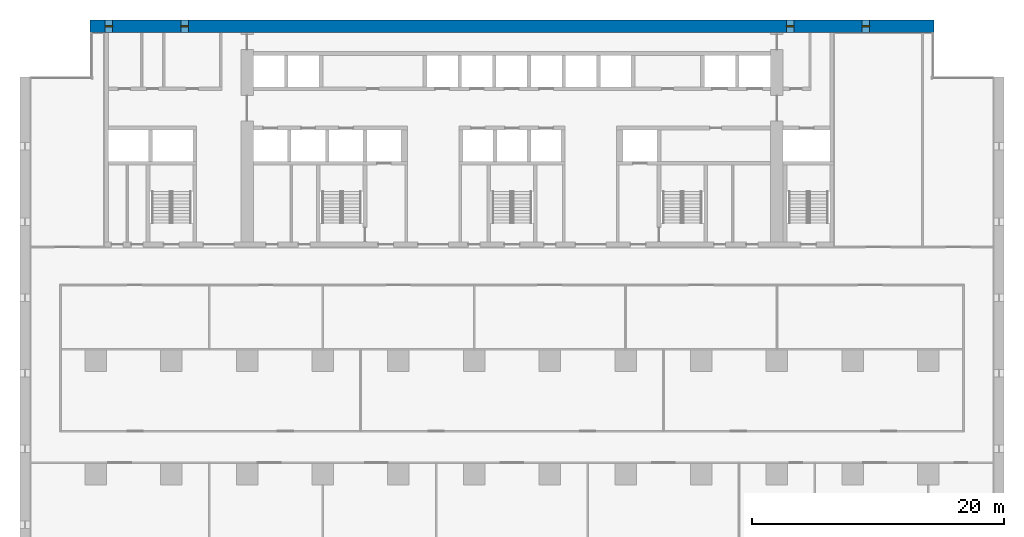
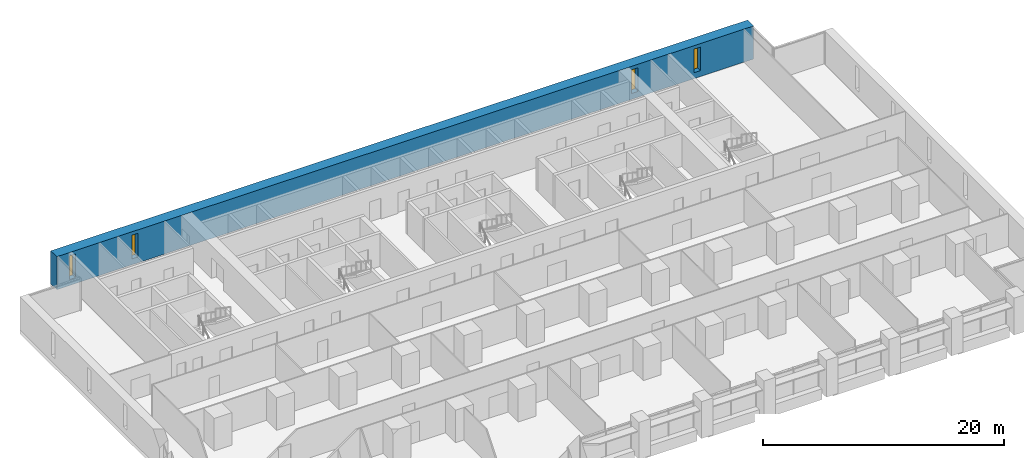
# One storey, part 12 of 18: 4 windows, 1 wall, 4 openings.
"""IFC4 building model written with IfcOpenShell, lengths in metres."""

from ifc_helpers import new_model, si_unit, direction, frame, frame_2d, origin, place, context, subcontext, project, spatial, rectangle, extrude, material, layer, layer_set, type_object, element, fill, save


model = new_model("IFC4")

# Units and contexts
model_context = context("Model", 3, precision=1e-05, world=origin(), true_north=direction((0.0, 1.0)))
body_context = subcontext(model_context, "Body", "Model", "MODEL_VIEW")
ifc_project = project(units=[si_unit("LENGTHUNIT", "METRE"), si_unit("AREAUNIT", "SQUARE_METRE"), si_unit("VOLUMEUNIT", "CUBIC_METRE"), si_unit("PLANEANGLEUNIT", "RADIAN"), si_unit("MASSUNIT", "GRAM", prefix="KILO")], contexts=[model_context])

# Site, building, storey
site_placement = place(None, origin())
site = spatial("IfcSite", under=ifc_project, at=site_placement, CompositionType="ELEMENT")
building_placement = place(site_placement, origin())
building = spatial("IfcBuilding", under=site, at=building_placement, Name="Calvaro Tower", CompositionType="ELEMENT")
storey_placement = place(building_placement, frame((0.0, 0.0, 45.0)))
storey = spatial("IfcBuildingStorey", under=building, at=storey_placement, Name="L10", CompositionType="ELEMENT", Elevation=45.0)

# Wall, openings, windows
ifc_material_1 = material(Name="Concrete C80/95", Category="concrete")
ifc_layer = layer(ifc_material_1, 1.0)
ifc_layer_set = layer_set([ifc_layer], Name="Concrete C80/95")
wall_type = type_object("IfcWallType", Name="Rear core wall 1000 C80/95", PredefinedType="SHEAR", material=ifc_layer_set)
wall_placement = place(storey_placement, frame((5.550048828125, 45.5, 0.0), z_axis=(0.0, 0.0, 1.0), x_axis=(1.0, 0.0, 0.0)))
wall = element("IfcWall", 1, at=wall_placement, inside=storey, type_object=wall_type, Name="North core wall", PredefinedType="SHEAR", context=body_context, shape_type="SweptSolid", body=[
    extrude(rectangle(XDim=66.89990234375, YDim=1.0, at=frame_2d((33.449951171875, 0.0))), origin(), (0.0, 0.0, 1.0), 3.35009765625),
])
opening_1_placement = place(wall_placement, frame((1.199951171875, 0.0, 0.60009765625)))
opening_1 = element("IfcOpeningElement", 2, at=opening_1_placement, cuts=wall, Name="Opening WN01", PredefinedType="OPENING", context=body_context, shape_type="SweptSolid", body=[
    extrude(rectangle(XDim=0.60009765625, YDim=2.39990234375, at=frame_2d((0.300048828125, 1.199951171875))), frame((0.0, 0.510009765625, 0.0), z_axis=(0.0, -1.0, 0.0), x_axis=(1.0, 0.0, 0.0)), (0.0, 0.0, 1.0), 1.02001953125),
])
opening_2_placement = place(wall_placement, frame((7.199951171875, 0.0, 0.60009765625)))
opening_2 = element("IfcOpeningElement", 3, at=opening_2_placement, cuts=wall, Name="Opening WN02", PredefinedType="OPENING", context=body_context, shape_type="SweptSolid", body=[
    extrude(rectangle(XDim=0.60009765625, YDim=2.39990234375, at=frame_2d((0.300048828125, 1.199951171875))), frame((0.0, 0.510009765625, 0.0), z_axis=(0.0, -1.0, 0.0), x_axis=(1.0, 0.0, 0.0)), (0.0, 0.0, 1.0), 1.02001953125),
])
opening_3_placement = place(wall_placement, frame((55.199951171875, 0.0, 0.60009765625)))
opening_3 = element("IfcOpeningElement", 4, at=opening_3_placement, cuts=wall, Name="Opening WN10", PredefinedType="OPENING", context=body_context, shape_type="SweptSolid", body=[
    extrude(rectangle(XDim=0.60009765625, YDim=2.39990234375, at=frame_2d((0.300048828125, 1.199951171875))), frame((0.0, 0.510009765625, 0.0), z_axis=(0.0, -1.0, 0.0), x_axis=(1.0, 0.0, 0.0)), (0.0, 0.0, 1.0), 1.02001953125),
])
opening_4_placement = place(wall_placement, frame((61.199951171875, 0.0, 0.60009765625)))
opening_4 = element("IfcOpeningElement", 5, at=opening_4_placement, cuts=wall, Name="Opening WN11", PredefinedType="OPENING", context=body_context, shape_type="SweptSolid", body=[
    extrude(rectangle(XDim=0.60009765625, YDim=2.39990234375, at=frame_2d((0.300048828125, 1.199951171875))), frame((0.0, 0.510009765625, 0.0), z_axis=(0.0, -1.0, 0.0), x_axis=(1.0, 0.0, 0.0)), (0.0, 0.0, 1.0), 1.02001953125),
])
ifc_material_2 = material(Name="Glass", Category="glass")
window_type = type_object("IfcWindowType", Name="Slit window 600 x 2400", PartitioningType="SINGLE_PANEL", PredefinedType="WINDOW", material=ifc_material_2)
window_1_placement = place(opening_1_placement, origin())
window_1 = element("IfcWindow", 6, at=window_1_placement, inside=storey, type_object=window_type, Name="Window WN01", OverallHeight=2.39990234375, OverallWidth=0.60009765625, PartitioningType="SINGLE_PANEL", PredefinedType="WINDOW", context=body_context, shape_type="SweptSolid", body=[
    extrude(rectangle(XDim=0.60009765625, YDim=2.39990234375, at=frame_2d((0.300048828125, 1.199951171875))), frame((0.0, 0.030029296875, 0.0), z_axis=(0.0, -1.0, 0.0), x_axis=(1.0, 0.0, 0.0)), (0.0, 0.0, 1.0), 0.06005859375),
])
fill(opening_1, window_1)
window_2_placement = place(opening_2_placement, origin())
window_2 = element("IfcWindow", 7, at=window_2_placement, inside=storey, type_object=window_type, Name="Window WN02", OverallHeight=2.39990234375, OverallWidth=0.60009765625, PartitioningType="SINGLE_PANEL", PredefinedType="WINDOW", context=body_context, shape_type="SweptSolid", body=[
    extrude(rectangle(XDim=0.60009765625, YDim=2.39990234375, at=frame_2d((0.300048828125, 1.199951171875))), frame((0.0, 0.030029296875, 0.0), z_axis=(0.0, -1.0, 0.0), x_axis=(1.0, 0.0, 0.0)), (0.0, 0.0, 1.0), 0.06005859375),
])
fill(opening_2, window_2)
window_3_placement = place(opening_3_placement, origin())
window_3 = element("IfcWindow", 8, at=window_3_placement, inside=storey, type_object=window_type, Name="Window WN10", OverallHeight=2.39990234375, OverallWidth=0.60009765625, PartitioningType="SINGLE_PANEL", PredefinedType="WINDOW", context=body_context, shape_type="SweptSolid", body=[
    extrude(rectangle(XDim=0.60009765625, YDim=2.39990234375, at=frame_2d((0.300048828125, 1.199951171875))), frame((0.0, 0.030029296875, 0.0), z_axis=(0.0, -1.0, 0.0), x_axis=(1.0, 0.0, 0.0)), (0.0, 0.0, 1.0), 0.06005859375),
])
fill(opening_3, window_3)
window_4_placement = place(opening_4_placement, origin())
window_4 = element("IfcWindow", 9, at=window_4_placement, inside=storey, type_object=window_type, Name="Window WN11", OverallHeight=2.39990234375, OverallWidth=0.60009765625, PartitioningType="SINGLE_PANEL", PredefinedType="WINDOW", context=body_context, shape_type="SweptSolid", body=[
    extrude(rectangle(XDim=0.60009765625, YDim=2.39990234375, at=frame_2d((0.300048828125, 1.199951171875))), frame((0.0, 0.030029296875, 0.0), z_axis=(0.0, -1.0, 0.0), x_axis=(1.0, 0.0, 0.0)), (0.0, 0.0, 1.0), 0.06005859375),
])
fill(opening_4, window_4)

save(model, "model.ifc")
